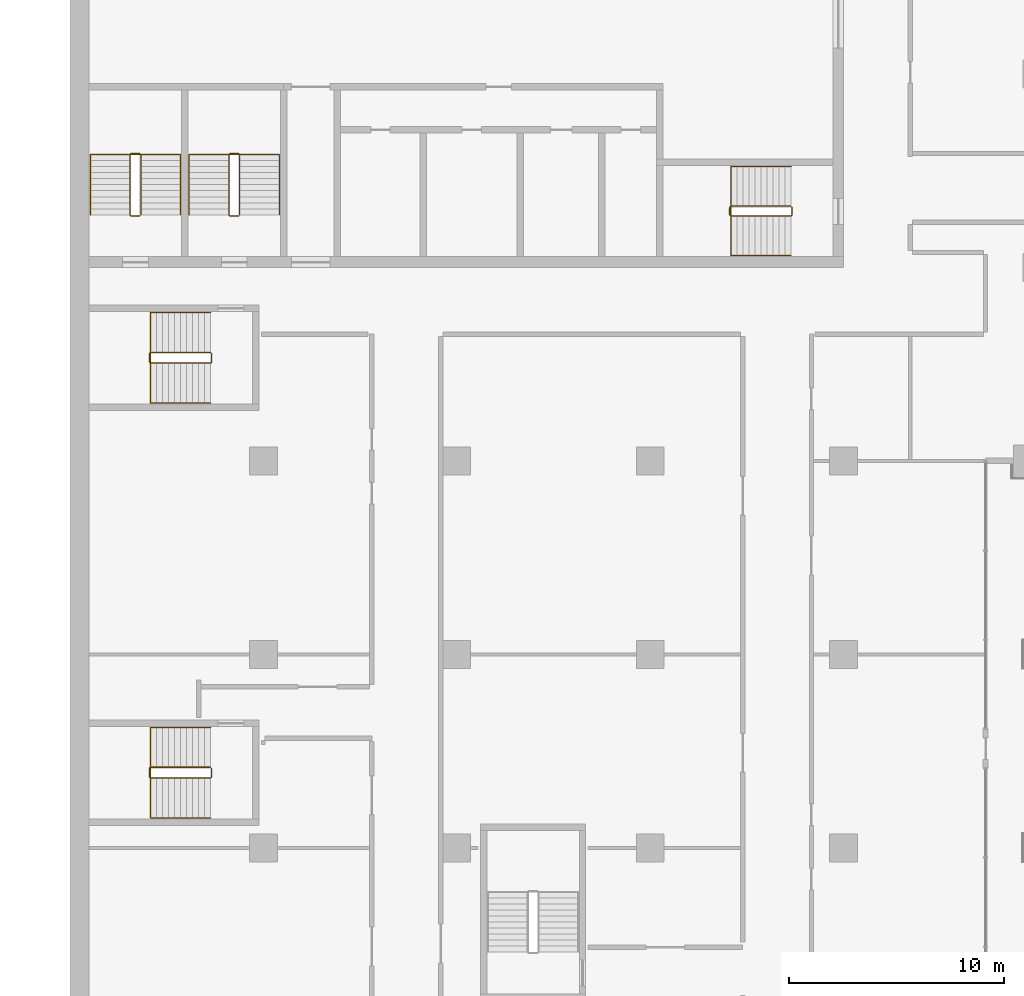
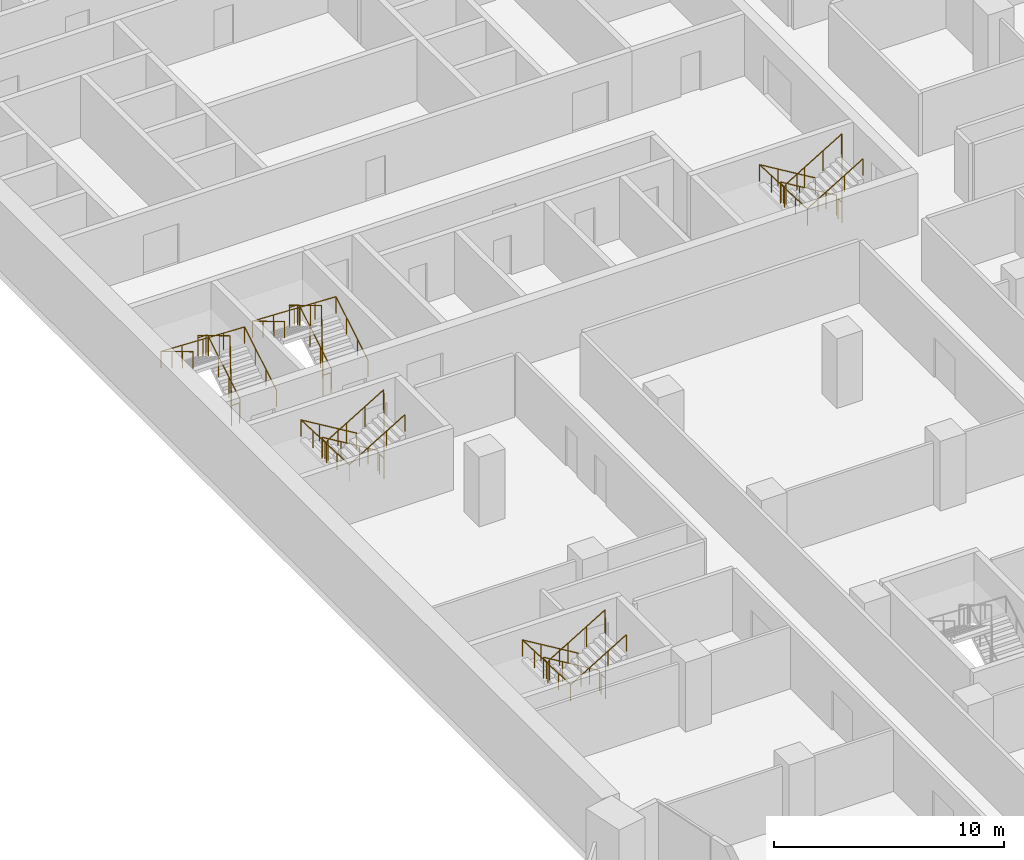
# One storey, part 21 of 23: 10 railings.
"""IFC4 building model written with IfcOpenShell, lengths in metres."""

import ifcopenshell
import ifcopenshell.guid

model = None  # the IFC model being written
_history = None  # IfcOwnerHistory: only IFC2X3 demands one
_inside = {}  # id of a spatial element -> (the spatial element, [elements in it])
_under = {}  # id of a project, library or spatial element -> (it, [spatial elements below it])
_declared = {}  # id of a project -> (the project, [libraries it declares])
_typed = {}  # id of a type object -> (the type object, [elements of that type])
_made_of = {}  # id of a material, layer set ... -> (it, [elements and type objects made of it])


def new_model(schema):
    """Start an empty IFC model of exactly this schema.

    Asked for "IFC4X3", IfcOpenShell would pick the latest addendum, in which some entities
    have other attributes; the version numbers below select the first issue.
    IFC2X3 requires an IfcOwnerHistory on every rooted entity: one is made here for all.
    """
    global model, _history
    if schema == "IFC4X3":
        model = ifcopenshell.file(schema_version=(4, 3, 0, 0))
    else:
        model = ifcopenshell.file(schema=schema)
    _inside.clear()
    _under.clear()
    _declared.clear()
    _typed.clear()
    _made_of.clear()
    _history = None
    if model.schema == "IFC2X3":
        org = make("IfcOrganization", Name="unknown")
        user = make(
            "IfcPersonAndOrganization",
            ThePerson=make("IfcPerson", FamilyName="unknown"),
            TheOrganization=org,
        )
        app = make(
            "IfcApplication",
            ApplicationDeveloper=org,
            Version="unknown",
            ApplicationFullName="unknown",
            ApplicationIdentifier="unknown",
        )
        _history = make(
            "IfcOwnerHistory",
            OwningUser=user,
            OwningApplication=app,
            ChangeAction="ADDED",
            CreationDate=0,
        )
    return model


def make(cls, **values):
    """One entity of the class cls with the attributes given. An attribute that is None is left unset."""
    return model.create_entity(
        cls, **{name: value for name, value in values.items() if value is not None}
    )


def rooted(cls, **values):
    """An entity with a GlobalId (a new one), such as an element, a storey or a relation."""
    return make(cls, GlobalId=ifcopenshell.guid.new(), OwnerHistory=_history, **values)


def si_unit(unit_type, name, prefix=None):
    """IfcSIUnit, for example si_unit("LENGTHUNIT", "METRE", prefix="MILLI")."""
    return make("IfcSIUnit", UnitType=unit_type, Prefix=prefix, Name=name)


def assignment(units):
    """IfcUnitAssignment: the units of a project."""
    return None if units is None else make("IfcUnitAssignment", Units=units)


def point(xyz):
    """IfcCartesianPoint."""
    return None if xyz is None else make("IfcCartesianPoint", Coordinates=xyz)


def direction(xyz):
    """IfcDirection."""
    return None if xyz is None else make("IfcDirection", DirectionRatios=xyz)


def frame(location, z_axis=None, x_axis=None):
    """IfcAxis2Placement3D, a coordinate frame: its origin and axes. An axis left out is left unset."""
    return make(
        "IfcAxis2Placement3D",
        Location=point(location),
        Axis=direction(z_axis),
        RefDirection=direction(x_axis),
    )


def frame_2d(location, x_axis=None):
    """IfcAxis2Placement2D, a coordinate frame in the plane: its origin and x axis."""
    return make(
        "IfcAxis2Placement2D", Location=point(location), RefDirection=direction(x_axis)
    )


def origin():
    """The frame at (0, 0, 0) with its axes left unset."""
    return frame((0.0, 0.0, 0.0))


def origin_2d():
    """The frame at (0, 0) in the plane with its x axis left unset."""
    return frame_2d((0.0, 0.0))


def place(relative_to, where):
    """IfcLocalPlacement: puts the frame where relative to a parent placement (None: the world)."""
    return make(
        "IfcLocalPlacement", PlacementRelTo=relative_to, RelativePlacement=where
    )


def context(
    kind, dimensions, precision=None, world=None, true_north=None, identifier=None
):
    """IfcGeometricRepresentationContext, for example the 3D "Model" context."""
    return make(
        "IfcGeometricRepresentationContext",
        ContextIdentifier=identifier,
        ContextType=kind,
        CoordinateSpaceDimension=dimensions,
        Precision=precision,
        WorldCoordinateSystem=world,
        TrueNorth=true_north,
    )


def subcontext(parent, identifier, kind, view, scale=None):
    """IfcGeometricRepresentationSubContext, for example "Body" below "Model"."""
    return make(
        "IfcGeometricRepresentationSubContext",
        ContextIdentifier=identifier,
        ContextType=kind,
        ParentContext=parent,
        TargetScale=scale,
        TargetView=view,
    )


def project(units=None, contexts=None):
    """IfcProject with its units and contexts."""
    return rooted(
        "IfcProject",
        Name="project",
        RepresentationContexts=contexts,
        UnitsInContext=assignment(units),
    )


def spatial(cls, under=None, at=None, **own):
    """A site, building, storey or space (cls), placed at a placement, below another one or the project."""
    s = rooted(cls, ObjectPlacement=at, **own)
    if under is not None:
        _under.setdefault(under.id(), (under, []))[1].append(s)
    return s


def profile(cls, at=None, kind="AREA", **sizes):
    """A parametric profile (cls). Its sizes go by their IFC names, for example OverallWidth=200.0."""
    return make(cls, ProfileType=kind, Position=at, **sizes)


def circle(**sizes):
    """IfcCircleProfileDef."""
    return profile("IfcCircleProfileDef", **sizes)


def extrude(swept, where, along, depth):
    """IfcExtrudedAreaSolid: the profile swept, set in the frame where, extruded along a direction by depth."""
    return make(
        "IfcExtrudedAreaSolid",
        SweptArea=swept,
        Position=where,
        ExtrudedDirection=direction(along),
        Depth=depth,
    )


def shape(context_of_items, identifier, shape_type, items):
    """IfcShapeRepresentation: the items that make up one representation, for example the "Body"."""
    return make(
        "IfcShapeRepresentation",
        ContextOfItems=context_of_items,
        RepresentationIdentifier=identifier,
        RepresentationType=shape_type,
        Items=items,
    )


def material(Name=None, Category=None):
    """IfcMaterial."""
    return make("IfcMaterial", Name=Name, Category=Category)


def made_of(thing, what):
    """Note that an element or type object is made of a material, layer set ...; save() writes the relation."""
    if what is not None:
        _made_of.setdefault(what.id(), (what, []))[1].append(thing)
    return thing


def type_object(cls, material=None, **own):
    """A type object (cls), such as IfcWallType, which elements share."""
    return made_of(rooted(cls, **own), material)


def element(
    cls,
    number,
    at=None,
    inside=None,
    cuts=None,
    type_object=None,
    material=None,
    context=None,
    identifier="Body",
    shape_type=None,
    held_by="IfcProductDefinitionShape",
    body=None,
    shapes=None,
    **own,
):
    """One element of the class cls, such as IfcWall. Its Tag is "e" and its number.

    at: its placement. inside: the storey or other place that contains it. cuts: it is an
    opening in that element (IfcRelVoidsElement). A single representation is given by context,
    identifier, shape_type and body (its items); several are given by shapes. held_by: the class
    of the entity that holds the representations. save() writes the other relations.
    """
    e = rooted(cls, Tag="e%d" % number, ObjectPlacement=at, **own)
    if body is not None:
        shapes = [shape(context, identifier, shape_type, body)]
    if shapes is not None:
        e.Representation = make(held_by, Representations=shapes)
    if inside is not None:
        _inside.setdefault(inside.id(), (inside, []))[1].append(e)
    if cuts is not None:
        rooted(
            "IfcRelVoidsElement", RelatingBuildingElement=cuts, RelatedOpeningElement=e
        )
    if type_object is not None:
        _typed.setdefault(type_object.id(), (type_object, []))[1].append(e)
    return made_of(e, material)


def aggregate(whole, parts):
    """IfcRelAggregates: a whole, such as a stair, and the parts it consists of."""
    return rooted("IfcRelAggregates", RelatingObject=whole, RelatedObjects=parts)


def save(model, path):
    """Write the relations noted so far, then the file.

    IfcRelAggregates (storeys below a building ...), IfcRelContainedInSpatialStructure (elements
    in a storey), IfcRelDefinesByType, IfcRelAssociatesMaterial and IfcRelDeclares: one each for
    every whole, place, type object, material and project.
    """
    for whole, parts in _under.values():
        aggregate(whole, parts)
    for where, things in _inside.values():
        rooted(
            "IfcRelContainedInSpatialStructure",
            RelatedElements=things,
            RelatingStructure=where,
        )
    for kind, things in _typed.values():
        rooted("IfcRelDefinesByType", RelatedObjects=things, RelatingType=kind)
    for what, things in _made_of.values():
        rooted("IfcRelAssociatesMaterial", RelatedObjects=things, RelatingMaterial=what)
    for by, libraries in _declared.values():
        rooted("IfcRelDeclares", RelatingContext=by, RelatedDefinitions=libraries)
    model.write(path)


model = new_model("IFC4")

# Units and contexts
model_context = context("Model", 3, precision=1e-05, world=origin(), true_north=direction((0.0, 1.0)))
body_context = subcontext(model_context, "Body", "Model", "MODEL_VIEW")
ifc_project = project(units=[si_unit("LENGTHUNIT", "METRE"), si_unit("AREAUNIT", "SQUARE_METRE"), si_unit("VOLUMEUNIT", "CUBIC_METRE"), si_unit("PLANEANGLEUNIT", "RADIAN"), si_unit("MASSUNIT", "GRAM", prefix="KILO")], contexts=[model_context])

# Site, building, storey
site_placement = place(None, origin())
site = spatial("IfcSite", under=ifc_project, at=site_placement, CompositionType="ELEMENT")
building_placement = place(site_placement, origin())
building = spatial("IfcBuilding", under=site, at=building_placement, Name="Hunhe Ridgeline Campus", CompositionType="ELEMENT")
storey_placement = place(building_placement, frame((0.0, 0.0, 110.699951171875)))
storey = spatial("IfcBuildingStorey", under=building, at=storey_placement, Name="L27", CompositionType="ELEMENT", Elevation=110.699951171875)

# Railings
ifc_material_1 = material(Name="Stainless steel balustrade", Category="steel")
railing_type_1 = type_object("IfcRailingType", Name="Stair guard 1100 stainless", PredefinedType="GUARDRAIL", material=ifc_material_1)
railing_1_placement = place(storey_placement, frame((33.550048828125, 65.85009765625, 0.168212890625)))
element("IfcRailing", 1, at=railing_1_placement, inside=storey, type_object=railing_type_1, Name="L27 stair S2 guard", PredefinedType="GUARDRAIL", context=body_context, shape_type="SweptSolid", body=[
    extrude(circle(Radius=0.02392578125, at=origin_2d()), frame((0.0, 0.0, 1.076171875), z_axis=(-0.857242210791, 0.0, 0.514913383045), x_axis=(0.0, -1.0, 0.0)), (0.0, 0.0, 1.0), 3.266357421875),
    extrude(circle(Radius=0.02392578125, at=origin_2d()), frame((-2.800048828125, 0.0, 2.7578125), z_axis=(-0.707106781187, -0.707106781187, 0.0), x_axis=(0.707106781187, -0.707106781187, 0.0)), (0.0, 0.0, 1.0), 0.07080078125),
    extrude(circle(Radius=0.02392578125, at=origin_2d()), frame((-2.85009765625, -0.050048828125, 2.7578125), z_axis=(0.0, -1.0, 0.0), x_axis=(1.0, 0.0, 0.0)), (0.0, 0.0, 1.0), 0.35009765625),
    extrude(circle(Radius=0.02392578125, at=origin_2d()), frame((-2.85009765625, -0.400146484375, 2.7578125), z_axis=(0.274243871929, -0.274243871929, 0.92172696468), x_axis=(0.707106781187, 0.707106781187, 0.0)), (0.0, 0.0, 1.0), 0.1826171875),
    extrude(circle(Radius=0.02392578125, at=origin_2d()), frame((-2.800048828125, -0.4501953125, 2.92626953125), z_axis=(0.857275202839, 0.0, 0.514858452973), x_axis=(0.0, 1.0, 0.0)), (0.0, 0.0, 1.0), 3.26611328125),
    extrude(circle(Radius=0.02392578125, at=origin_2d()), frame((0.0, -0.4501953125, 4.60791015625), z_axis=(0.013524414389, 0.013524414389, -0.999817073484), x_axis=(-0.707106781187, 0.707106781187, 0.0)), (0.0, 0.0, 1.0), 3.70068359375),
    extrude(circle(Radius=0.02392578125, at=origin_2d()), frame((0.050048828125, -0.400146484375, 0.90771484375), z_axis=(0.0, 1.0, 0.0), x_axis=(-1.0, 0.0, 0.0)), (0.0, 0.0, 1.0), 0.35009765625),
    extrude(circle(Radius=0.02099609375, at=origin_2d()), origin(), (0.0, 0.0, 1.0), 1.052001953125),
    extrude(circle(Radius=0.02099609375, at=origin_2d()), frame((-0.933349609375, 0.0, 0.560546875)), (0.0, 0.0, 1.0), 1.052001953125),
    extrude(circle(Radius=0.02099609375, at=origin_2d()), frame((-1.86669921875, 0.0, 1.121337890625)), (0.0, 0.0, 1.0), 1.052001953125),
    extrude(circle(Radius=0.02099609375, at=origin_2d()), frame((-2.800048828125, 0.0, 1.681884765625)), (0.0, 0.0, 1.0), 1.052001953125),
    extrude(circle(Radius=0.02099609375, at=origin_2d()), frame((-2.85009765625, -0.050048828125, 1.681884765625)), (0.0, 0.0, 1.0), 1.052001953125),
    extrude(circle(Radius=0.02099609375, at=origin_2d()), frame((-2.85009765625, -0.400146484375, 1.681884765625)), (0.0, 0.0, 1.0), 1.052001953125),
    extrude(circle(Radius=0.02099609375, at=origin_2d()), frame((-2.800048828125, -0.4501953125, 1.85009765625)), (0.0, 0.0, 1.0), 1.052001953125),
    extrude(circle(Radius=0.02099609375, at=origin_2d()), frame((-1.86669921875, -0.4501953125, 2.41064453125)), (0.0, 0.0, 1.0), 1.052001953125),
    extrude(circle(Radius=0.02099609375, at=origin_2d()), frame((-0.933349609375, -0.4501953125, 2.97119140625)), (0.0, 0.0, 1.0), 1.052001953125),
    extrude(circle(Radius=0.02099609375, at=origin_2d()), frame((0.0, -0.4501953125, 3.53173828125)), (0.0, 0.0, 1.0), 1.052001953125),
    extrude(circle(Radius=0.02099609375, at=origin_2d()), frame((0.012451171875, -0.437744140625, 2.606689453125)), (0.0, 0.0, 1.0), 1.052001953125),
    extrude(circle(Radius=0.02099609375, at=origin_2d()), frame((0.02490234375, -0.42529296875, 1.681640625)), (0.0, 0.0, 1.0), 1.052001953125),
    extrude(circle(Radius=0.02099609375, at=origin_2d()), frame((0.03759765625, -0.41259765625, 0.7568359375)), (0.0, 0.0, 1.0), 1.052001953125),
    extrude(circle(Radius=0.02099609375, at=origin_2d()), frame((0.050048828125, -0.400146484375, -0.168212890625)), (0.0, 0.0, 1.0), 1.052001953125),
    extrude(circle(Radius=0.02099609375, at=origin_2d()), frame((0.050048828125, -0.050048828125, -0.168212890625)), (0.0, 0.0, 1.0), 1.052001953125),
])
railing_2_placement = place(storey_placement, frame((3.300048828125, 65.449951171875, 0.168212890625)))
element("IfcRailing", 2, at=railing_2_placement, inside=storey, type_object=railing_type_1, Name="L27 stair S3 guard", PredefinedType="GUARDRAIL", context=body_context, shape_type="SweptSolid", body=[
    extrude(circle(Radius=0.02392578125, at=origin_2d()), frame((0.0, 0.0, 1.076171875), z_axis=(0.0, 0.857242210791, 0.514913383045), x_axis=(-1.0, 0.0, 0.0)), (0.0, 0.0, 1.0), 3.266357421875),
    extrude(circle(Radius=0.02392578125, at=origin_2d()), frame((0.0, 2.800048828125, 2.7578125), z_axis=(-0.707106781187, 0.707106781187, 0.0), x_axis=(-0.707106781187, -0.707106781187, 0.0)), (0.0, 0.0, 1.0), 0.07080078125),
    extrude(circle(Radius=0.02392578125, at=origin_2d()), frame((-0.050048828125, 2.85009765625, 2.7578125), z_axis=(-1.0, 0.0, 0.0), x_axis=(0.0, -1.0, 0.0)), (0.0, 0.0, 1.0), 0.39990234375),
    extrude(circle(Radius=0.02392578125, at=origin_2d()), frame((-0.449951171875, 2.85009765625, 2.7578125), z_axis=(-0.274243871929, -0.274243871929, 0.92172696468), x_axis=(0.707106781187, -0.707106781187, 0.0)), (0.0, 0.0, 1.0), 0.1826171875),
    extrude(circle(Radius=0.02392578125, at=origin_2d()), frame((-0.5, 2.800048828125, 2.92626953125), z_axis=(0.0, -0.857275202839, 0.514858452973), x_axis=(1.0, 0.0, 0.0)), (0.0, 0.0, 1.0), 3.26611328125),
    extrude(circle(Radius=0.02392578125, at=origin_2d()), frame((-0.5, 0.0, 4.60791015625), z_axis=(0.013524414389, -0.013524414389, -0.999817073484), x_axis=(0.707106781187, 0.707106781187, 0.0)), (0.0, 0.0, 1.0), 3.70068359375),
    extrude(circle(Radius=0.02392578125, at=origin_2d()), frame((-0.449951171875, -0.050048828125, 0.90771484375), z_axis=(1.0, 0.0, 0.0), x_axis=(0.0, 1.0, 0.0)), (0.0, 0.0, 1.0), 0.39990234375),
    extrude(circle(Radius=0.02099609375, at=origin_2d()), origin(), (0.0, 0.0, 1.0), 1.052001953125),
    extrude(circle(Radius=0.02099609375, at=origin_2d()), frame((0.0, 0.933349609375, 0.560546875)), (0.0, 0.0, 1.0), 1.052001953125),
    extrude(circle(Radius=0.02099609375, at=origin_2d()), frame((0.0, 1.86669921875, 1.121337890625)), (0.0, 0.0, 1.0), 1.052001953125),
    extrude(circle(Radius=0.02099609375, at=origin_2d()), frame((0.0, 2.800048828125, 1.681884765625)), (0.0, 0.0, 1.0), 1.052001953125),
    extrude(circle(Radius=0.02099609375, at=origin_2d()), frame((-0.050048828125, 2.85009765625, 1.681884765625)), (0.0, 0.0, 1.0), 1.052001953125),
    extrude(circle(Radius=0.02099609375, at=origin_2d()), frame((-0.449951171875, 2.85009765625, 1.681884765625)), (0.0, 0.0, 1.0), 1.052001953125),
    extrude(circle(Radius=0.02099609375, at=origin_2d()), frame((-0.5, 2.800048828125, 1.85009765625)), (0.0, 0.0, 1.0), 1.052001953125),
    extrude(circle(Radius=0.02099609375, at=origin_2d()), frame((-0.5, 1.86669921875, 2.41064453125)), (0.0, 0.0, 1.0), 1.052001953125),
    extrude(circle(Radius=0.02099609375, at=origin_2d()), frame((-0.5, 0.933349609375, 2.97119140625)), (0.0, 0.0, 1.0), 1.052001953125),
    extrude(circle(Radius=0.02099609375, at=origin_2d()), frame((-0.5, 0.0, 3.53173828125)), (0.0, 0.0, 1.0), 1.052001953125),
    extrude(circle(Radius=0.02099609375, at=origin_2d()), frame((-0.487548828125, -0.012451171875, 2.606689453125)), (0.0, 0.0, 1.0), 1.052001953125),
    extrude(circle(Radius=0.02099609375, at=origin_2d()), frame((-0.47509765625, -0.02490234375, 1.681640625)), (0.0, 0.0, 1.0), 1.052001953125),
    extrude(circle(Radius=0.02099609375, at=origin_2d()), frame((-0.46240234375, -0.03759765625, 0.7568359375)), (0.0, 0.0, 1.0), 1.052001953125),
    extrude(circle(Radius=0.02099609375, at=origin_2d()), frame((-0.449951171875, -0.050048828125, -0.168212890625)), (0.0, 0.0, 1.0), 1.052001953125),
    extrude(circle(Radius=0.02099609375, at=origin_2d()), frame((-0.050048828125, -0.050048828125, -0.168212890625)), (0.0, 0.0, 1.0), 1.052001953125),
])
railing_3_placement = place(storey_placement, frame((7.89990234375, 65.449951171875, 0.168212890625)))
element("IfcRailing", 3, at=railing_3_placement, inside=storey, type_object=railing_type_1, Name="L27 stair S4 guard", PredefinedType="GUARDRAIL", context=body_context, shape_type="SweptSolid", body=[
    extrude(circle(Radius=0.02392578125, at=origin_2d()), frame((0.0, 0.0, 1.076171875), z_axis=(0.0, 0.857242210791, 0.514913383045), x_axis=(-1.0, 0.0, 0.0)), (0.0, 0.0, 1.0), 3.266357421875),
    extrude(circle(Radius=0.02392578125, at=origin_2d()), frame((0.0, 2.800048828125, 2.7578125), z_axis=(-0.705375805398, 0.708833529934, 0.0), x_axis=(-0.708833529934, -0.705375805398, 0.0)), (0.0, 0.0, 1.0), 0.070556640625),
    extrude(circle(Radius=0.02392578125, at=origin_2d()), frame((-0.0498046875, 2.85009765625, 2.7578125), z_axis=(-1.0, 0.0, 0.0), x_axis=(0.0, -1.0, 0.0)), (0.0, 0.0, 1.0), 0.400146484375),
    extrude(circle(Radius=0.02392578125, at=origin_2d()), frame((-0.449951171875, 2.85009765625, 2.7578125), z_axis=(-0.274243871929, -0.274243871929, 0.92172696468), x_axis=(0.707106781187, -0.707106781187, 0.0)), (0.0, 0.0, 1.0), 0.1826171875),
    extrude(circle(Radius=0.02392578125, at=origin_2d()), frame((-0.5, 2.800048828125, 2.92626953125), z_axis=(0.0, -0.857275202839, 0.514858452973), x_axis=(1.0, 0.0, 0.0)), (0.0, 0.0, 1.0), 3.26611328125),
    extrude(circle(Radius=0.02392578125, at=origin_2d()), frame((-0.5, 0.0, 4.60791015625), z_axis=(0.013524414389, -0.013524414389, -0.999817073484), x_axis=(0.707106781187, 0.707106781187, 0.0)), (0.0, 0.0, 1.0), 3.70068359375),
    extrude(circle(Radius=0.02392578125, at=origin_2d()), frame((-0.449951171875, -0.050048828125, 0.90771484375), z_axis=(1.0, 0.0, 0.0), x_axis=(0.0, 1.0, 0.0)), (0.0, 0.0, 1.0), 0.400146484375),
    extrude(circle(Radius=0.02099609375, at=origin_2d()), origin(), (0.0, 0.0, 1.0), 1.052001953125),
    extrude(circle(Radius=0.02099609375, at=origin_2d()), frame((0.0, 0.933349609375, 0.560546875)), (0.0, 0.0, 1.0), 1.052001953125),
    extrude(circle(Radius=0.02099609375, at=origin_2d()), frame((0.0, 1.86669921875, 1.121337890625)), (0.0, 0.0, 1.0), 1.052001953125),
    extrude(circle(Radius=0.02099609375, at=origin_2d()), frame((0.0, 2.800048828125, 1.681884765625)), (0.0, 0.0, 1.0), 1.052001953125),
    extrude(circle(Radius=0.02099609375, at=origin_2d()), frame((-0.0498046875, 2.85009765625, 1.681884765625)), (0.0, 0.0, 1.0), 1.052001953125),
    extrude(circle(Radius=0.02099609375, at=origin_2d()), frame((-0.449951171875, 2.85009765625, 1.681884765625)), (0.0, 0.0, 1.0), 1.052001953125),
    extrude(circle(Radius=0.02099609375, at=origin_2d()), frame((-0.5, 2.800048828125, 1.85009765625)), (0.0, 0.0, 1.0), 1.052001953125),
    extrude(circle(Radius=0.02099609375, at=origin_2d()), frame((-0.5, 1.86669921875, 2.41064453125)), (0.0, 0.0, 1.0), 1.052001953125),
    extrude(circle(Radius=0.02099609375, at=origin_2d()), frame((-0.5, 0.933349609375, 2.97119140625)), (0.0, 0.0, 1.0), 1.052001953125),
    extrude(circle(Radius=0.02099609375, at=origin_2d()), frame((-0.5, 0.0, 3.53173828125)), (0.0, 0.0, 1.0), 1.052001953125),
    extrude(circle(Radius=0.02099609375, at=origin_2d()), frame((-0.487548828125, -0.012451171875, 2.606689453125)), (0.0, 0.0, 1.0), 1.052001953125),
    extrude(circle(Radius=0.02099609375, at=origin_2d()), frame((-0.47509765625, -0.02490234375, 1.681640625)), (0.0, 0.0, 1.0), 1.052001953125),
    extrude(circle(Radius=0.02099609375, at=origin_2d()), frame((-0.46240234375, -0.03759765625, 0.7568359375)), (0.0, 0.0, 1.0), 1.052001953125),
    extrude(circle(Radius=0.02099609375, at=origin_2d()), frame((-0.449951171875, -0.050048828125, -0.168212890625)), (0.0, 0.0, 1.0), 1.052001953125),
    extrude(circle(Radius=0.02099609375, at=origin_2d()), frame((-0.0498046875, -0.050048828125, -0.168212890625)), (0.0, 0.0, 1.0), 1.052001953125),
])
railing_4_placement = place(storey_placement, frame((6.550048828125, 39.75, 0.168212890625)))
element("IfcRailing", 4, at=railing_4_placement, inside=storey, type_object=railing_type_1, Name="L27 stair W1 guard", PredefinedType="GUARDRAIL", context=body_context, shape_type="SweptSolid", body=[
    extrude(circle(Radius=0.02392578125, at=origin_2d()), frame((0.0, 0.0, 1.076171875), z_axis=(-0.857242210791, 0.0, 0.514913383045), x_axis=(0.0, -1.0, 0.0)), (0.0, 0.0, 1.0), 3.266357421875),
    extrude(circle(Radius=0.02392578125, at=origin_2d()), frame((-2.800048828125, 0.0, 2.7578125), z_axis=(-0.707106781187, -0.707106781187, 0.0), x_axis=(0.707106781187, -0.707106781187, 0.0)), (0.0, 0.0, 1.0), 0.07080078125),
    extrude(circle(Radius=0.02392578125, at=origin_2d()), frame((-2.85009765625, -0.050048828125, 2.7578125), z_axis=(0.0, -1.0, 0.0), x_axis=(1.0, 0.0, 0.0)), (0.0, 0.0, 1.0), 0.39990234375),
    extrude(circle(Radius=0.02392578125, at=origin_2d()), frame((-2.85009765625, -0.449951171875, 2.7578125), z_axis=(0.274243871929, -0.274243871929, 0.92172696468), x_axis=(0.707106781187, 0.707106781187, 0.0)), (0.0, 0.0, 1.0), 0.1826171875),
    extrude(circle(Radius=0.02392578125, at=origin_2d()), frame((-2.800048828125, -0.5, 2.92626953125), z_axis=(0.857275202839, 0.0, 0.514858452973), x_axis=(0.0, 1.0, 0.0)), (0.0, 0.0, 1.0), 3.26611328125),
    extrude(circle(Radius=0.02392578125, at=origin_2d()), frame((0.0, -0.5, 4.60791015625), z_axis=(0.013524414389, 0.013524414389, -0.999817073484), x_axis=(-0.707106781187, 0.707106781187, 0.0)), (0.0, 0.0, 1.0), 3.70068359375),
    extrude(circle(Radius=0.02392578125, at=origin_2d()), frame((0.050048828125, -0.449951171875, 0.90771484375), z_axis=(0.0, 1.0, 0.0), x_axis=(-1.0, 0.0, 0.0)), (0.0, 0.0, 1.0), 0.39990234375),
    extrude(circle(Radius=0.02099609375, at=origin_2d()), origin(), (0.0, 0.0, 1.0), 1.052001953125),
    extrude(circle(Radius=0.02099609375, at=origin_2d()), frame((-0.933349609375, 0.0, 0.560546875)), (0.0, 0.0, 1.0), 1.052001953125),
    extrude(circle(Radius=0.02099609375, at=origin_2d()), frame((-1.86669921875, 0.0, 1.121337890625)), (0.0, 0.0, 1.0), 1.052001953125),
    extrude(circle(Radius=0.02099609375, at=origin_2d()), frame((-2.800048828125, 0.0, 1.681884765625)), (0.0, 0.0, 1.0), 1.052001953125),
    extrude(circle(Radius=0.02099609375, at=origin_2d()), frame((-2.85009765625, -0.050048828125, 1.681884765625)), (0.0, 0.0, 1.0), 1.052001953125),
    extrude(circle(Radius=0.02099609375, at=origin_2d()), frame((-2.85009765625, -0.449951171875, 1.681884765625)), (0.0, 0.0, 1.0), 1.052001953125),
    extrude(circle(Radius=0.02099609375, at=origin_2d()), frame((-2.800048828125, -0.5, 1.85009765625)), (0.0, 0.0, 1.0), 1.052001953125),
    extrude(circle(Radius=0.02099609375, at=origin_2d()), frame((-1.86669921875, -0.5, 2.41064453125)), (0.0, 0.0, 1.0), 1.052001953125),
    extrude(circle(Radius=0.02099609375, at=origin_2d()), frame((-0.933349609375, -0.5, 2.97119140625)), (0.0, 0.0, 1.0), 1.052001953125),
    extrude(circle(Radius=0.02099609375, at=origin_2d()), frame((0.0, -0.5, 3.53173828125)), (0.0, 0.0, 1.0), 1.052001953125),
    extrude(circle(Radius=0.02099609375, at=origin_2d()), frame((0.012451171875, -0.487548828125, 2.606689453125)), (0.0, 0.0, 1.0), 1.052001953125),
    extrude(circle(Radius=0.02099609375, at=origin_2d()), frame((0.02490234375, -0.47509765625, 1.681640625)), (0.0, 0.0, 1.0), 1.052001953125),
    extrude(circle(Radius=0.02099609375, at=origin_2d()), frame((0.03759765625, -0.46240234375, 0.7568359375)), (0.0, 0.0, 1.0), 1.052001953125),
    extrude(circle(Radius=0.02099609375, at=origin_2d()), frame((0.050048828125, -0.449951171875, -0.168212890625)), (0.0, 0.0, 1.0), 1.052001953125),
    extrude(circle(Radius=0.02099609375, at=origin_2d()), frame((0.050048828125, -0.050048828125, -0.168212890625)), (0.0, 0.0, 1.0), 1.052001953125),
])
railing_5_placement = place(storey_placement, frame((6.550048828125, 59.050048828125, 0.168212890625)))
element("IfcRailing", 5, at=railing_5_placement, inside=storey, type_object=railing_type_1, Name="L27 stair W2 guard", PredefinedType="GUARDRAIL", context=body_context, shape_type="SweptSolid", body=[
    extrude(circle(Radius=0.02392578125, at=origin_2d()), frame((0.0, 0.0, 1.076171875), z_axis=(-0.857242210791, 0.0, 0.514913383045), x_axis=(0.0, -1.0, 0.0)), (0.0, 0.0, 1.0), 3.266357421875),
    extrude(circle(Radius=0.02392578125, at=origin_2d()), frame((-2.800048828125, 0.0, 2.7578125), z_axis=(-0.707106781187, -0.707106781187, 0.0), x_axis=(0.707106781187, -0.707106781187, 0.0)), (0.0, 0.0, 1.0), 0.07080078125),
    extrude(circle(Radius=0.02392578125, at=origin_2d()), frame((-2.85009765625, -0.050048828125, 2.7578125), z_axis=(0.0, -1.0, 0.0), x_axis=(1.0, 0.0, 0.0)), (0.0, 0.0, 1.0), 0.39990234375),
    extrude(circle(Radius=0.02392578125, at=origin_2d()), frame((-2.85009765625, -0.449951171875, 2.7578125), z_axis=(0.274243871929, -0.274243871929, 0.92172696468), x_axis=(0.707106781187, 0.707106781187, 0.0)), (0.0, 0.0, 1.0), 0.1826171875),
    extrude(circle(Radius=0.02392578125, at=origin_2d()), frame((-2.800048828125, -0.5, 2.92626953125), z_axis=(0.857275202839, 0.0, 0.514858452973), x_axis=(0.0, 1.0, 0.0)), (0.0, 0.0, 1.0), 3.26611328125),
    extrude(circle(Radius=0.02392578125, at=origin_2d()), frame((0.0, -0.5, 4.60791015625), z_axis=(0.013524414389, 0.013524414389, -0.999817073484), x_axis=(-0.707106781187, 0.707106781187, 0.0)), (0.0, 0.0, 1.0), 3.70068359375),
    extrude(circle(Radius=0.02392578125, at=origin_2d()), frame((0.050048828125, -0.449951171875, 0.90771484375), z_axis=(0.0, 1.0, 0.0), x_axis=(-1.0, 0.0, 0.0)), (0.0, 0.0, 1.0), 0.39990234375),
    extrude(circle(Radius=0.02099609375, at=origin_2d()), origin(), (0.0, 0.0, 1.0), 1.052001953125),
    extrude(circle(Radius=0.02099609375, at=origin_2d()), frame((-0.933349609375, 0.0, 0.560546875)), (0.0, 0.0, 1.0), 1.052001953125),
    extrude(circle(Radius=0.02099609375, at=origin_2d()), frame((-1.86669921875, 0.0, 1.121337890625)), (0.0, 0.0, 1.0), 1.052001953125),
    extrude(circle(Radius=0.02099609375, at=origin_2d()), frame((-2.800048828125, 0.0, 1.681884765625)), (0.0, 0.0, 1.0), 1.052001953125),
    extrude(circle(Radius=0.02099609375, at=origin_2d()), frame((-2.85009765625, -0.050048828125, 1.681884765625)), (0.0, 0.0, 1.0), 1.052001953125),
    extrude(circle(Radius=0.02099609375, at=origin_2d()), frame((-2.85009765625, -0.449951171875, 1.681884765625)), (0.0, 0.0, 1.0), 1.052001953125),
    extrude(circle(Radius=0.02099609375, at=origin_2d()), frame((-2.800048828125, -0.5, 1.85009765625)), (0.0, 0.0, 1.0), 1.052001953125),
    extrude(circle(Radius=0.02099609375, at=origin_2d()), frame((-1.86669921875, -0.5, 2.41064453125)), (0.0, 0.0, 1.0), 1.052001953125),
    extrude(circle(Radius=0.02099609375, at=origin_2d()), frame((-0.933349609375, -0.5, 2.97119140625)), (0.0, 0.0, 1.0), 1.052001953125),
    extrude(circle(Radius=0.02099609375, at=origin_2d()), frame((0.0, -0.5, 3.53173828125)), (0.0, 0.0, 1.0), 1.052001953125),
    extrude(circle(Radius=0.02099609375, at=origin_2d()), frame((0.012451171875, -0.487548828125, 2.606689453125)), (0.0, 0.0, 1.0), 1.052001953125),
    extrude(circle(Radius=0.02099609375, at=origin_2d()), frame((0.02490234375, -0.47509765625, 1.681640625)), (0.0, 0.0, 1.0), 1.052001953125),
    extrude(circle(Radius=0.02099609375, at=origin_2d()), frame((0.03759765625, -0.46240234375, 0.7568359375)), (0.0, 0.0, 1.0), 1.052001953125),
    extrude(circle(Radius=0.02099609375, at=origin_2d()), frame((0.050048828125, -0.449951171875, -0.168212890625)), (0.0, 0.0, 1.0), 1.052001953125),
    extrude(circle(Radius=0.02099609375, at=origin_2d()), frame((0.050048828125, -0.050048828125, -0.168212890625)), (0.0, 0.0, 1.0), 1.052001953125),
])
ifc_material_2 = material(Name="Stainless steel handrail", Category="steel")
railing_type_2 = type_object("IfcRailingType", Name="Stair handrail 900 stainless", PredefinedType="HANDRAIL", material=ifc_material_2)
railing_6_placement = place(storey_placement, frame((33.550048828125, 67.699951171875, 0.168212890625)))
element("IfcRailing", 6, at=railing_6_placement, inside=storey, type_object=railing_type_2, Name="L27 stair S2 handrail", PredefinedType="HANDRAIL", context=body_context, shape_type="SweptSolid", body=[
    extrude(circle(Radius=0.02392578125, at=origin_2d()), frame((0.0, 0.0, 0.8759765625), z_axis=(-0.857242210791, 0.0, 0.514913383045), x_axis=(0.0, -1.0, 0.0)), (0.0, 0.0, 1.0), 3.266357421875),
    extrude(circle(Radius=0.02392578125, at=origin_2d()), frame((-2.800048828125, 0.0, 2.5576171875), z_axis=(0.0, -0.99917950104, 0.040500922239), x_axis=(1.0, 0.0, 0.0)), (0.0, 0.0, 1.0), 4.1533203125),
    extrude(circle(Radius=0.02392578125, at=origin_2d()), frame((-2.800048828125, -4.14990234375, 2.72607421875), z_axis=(0.857275202839, 0.0, 0.514858452973), x_axis=(0.0, 1.0, 0.0)), (0.0, 0.0, 1.0), 3.26611328125),
    extrude(circle(Radius=0.02099609375, at=origin_2d()), origin(), (0.0, 0.0, 1.0), 0.851806640625),
    extrude(circle(Radius=0.02099609375, at=origin_2d()), frame((-0.933349609375, 0.0, 0.560546875)), (0.0, 0.0, 1.0), 0.851806640625),
    extrude(circle(Radius=0.02099609375, at=origin_2d()), frame((-1.86669921875, 0.0, 1.121337890625)), (0.0, 0.0, 1.0), 0.851806640625),
    extrude(circle(Radius=0.02099609375, at=origin_2d()), frame((-2.800048828125, 0.0, 1.681884765625)), (0.0, 0.0, 1.0), 0.851806640625),
    extrude(circle(Radius=0.02099609375, at=origin_2d()), frame((-2.800048828125, -1.03759765625, 1.723876953125)), (0.0, 0.0, 1.0), 0.851806640625),
    extrude(circle(Radius=0.02099609375, at=origin_2d()), frame((-2.800048828125, -2.074951171875, 1.76611328125)), (0.0, 0.0, 1.0), 0.851806640625),
    extrude(circle(Radius=0.02099609375, at=origin_2d()), frame((-2.800048828125, -3.1123046875, 1.80810546875)), (0.0, 0.0, 1.0), 0.851806640625),
    extrude(circle(Radius=0.02099609375, at=origin_2d()), frame((-2.800048828125, -4.14990234375, 1.85009765625)), (0.0, 0.0, 1.0), 0.851806640625),
    extrude(circle(Radius=0.02099609375, at=origin_2d()), frame((-1.86669921875, -4.14990234375, 2.41064453125)), (0.0, 0.0, 1.0), 0.851806640625),
    extrude(circle(Radius=0.02099609375, at=origin_2d()), frame((-0.933349609375, -4.14990234375, 2.97119140625)), (0.0, 0.0, 1.0), 0.851806640625),
    extrude(circle(Radius=0.02099609375, at=origin_2d()), frame((0.0, -4.14990234375, 3.53173828125)), (0.0, 0.0, 1.0), 0.851806640625),
])
railing_7_placement = place(storey_placement, frame((5.14990234375, 65.449951171875, 0.168212890625)))
element("IfcRailing", 7, at=railing_7_placement, inside=storey, type_object=railing_type_2, Name="L27 stair S3 handrail", PredefinedType="HANDRAIL", context=body_context, shape_type="SweptSolid", body=[
    extrude(circle(Radius=0.02392578125, at=origin_2d()), frame((0.0, 0.0, 0.8759765625), z_axis=(0.0, 0.857242210791, 0.514913383045), x_axis=(-1.0, 0.0, 0.0)), (0.0, 0.0, 1.0), 3.266357421875),
    extrude(circle(Radius=0.02392578125, at=origin_2d()), frame((0.0, 2.800048828125, 2.5576171875), z_axis=(-0.999198916169, 0.0, 0.040019069537), x_axis=(0.0, -1.0, 0.0)), (0.0, 0.0, 1.0), 4.203369140625),
    extrude(circle(Radius=0.02392578125, at=origin_2d()), frame((-4.199951171875, 2.800048828125, 2.72607421875), z_axis=(0.0, -0.857275202839, 0.514858452973), x_axis=(1.0, 0.0, 0.0)), (0.0, 0.0, 1.0), 3.26611328125),
    extrude(circle(Radius=0.02099609375, at=origin_2d()), origin(), (0.0, 0.0, 1.0), 0.851806640625),
    extrude(circle(Radius=0.02099609375, at=origin_2d()), frame((0.0, 0.933349609375, 0.560546875)), (0.0, 0.0, 1.0), 0.851806640625),
    extrude(circle(Radius=0.02099609375, at=origin_2d()), frame((0.0, 1.86669921875, 1.121337890625)), (0.0, 0.0, 1.0), 0.851806640625),
    extrude(circle(Radius=0.02099609375, at=origin_2d()), frame((0.0, 2.800048828125, 1.681884765625)), (0.0, 0.0, 1.0), 0.851806640625),
    extrude(circle(Radius=0.02099609375, at=origin_2d()), frame((-1.050048828125, 2.800048828125, 1.723876953125)), (0.0, 0.0, 1.0), 0.851806640625),
    extrude(circle(Radius=0.02099609375, at=origin_2d()), frame((-2.10009765625, 2.800048828125, 1.76611328125)), (0.0, 0.0, 1.0), 0.851806640625),
    extrude(circle(Radius=0.02099609375, at=origin_2d()), frame((-3.14990234375, 2.800048828125, 1.80810546875)), (0.0, 0.0, 1.0), 0.851806640625),
    extrude(circle(Radius=0.02099609375, at=origin_2d()), frame((-4.199951171875, 2.800048828125, 1.85009765625)), (0.0, 0.0, 1.0), 0.851806640625),
    extrude(circle(Radius=0.02099609375, at=origin_2d()), frame((-4.199951171875, 1.86669921875, 2.41064453125)), (0.0, 0.0, 1.0), 0.851806640625),
    extrude(circle(Radius=0.02099609375, at=origin_2d()), frame((-4.199951171875, 0.933349609375, 2.97119140625)), (0.0, 0.0, 1.0), 0.851806640625),
    extrude(circle(Radius=0.02099609375, at=origin_2d()), frame((-4.199951171875, 0.0, 3.53173828125)), (0.0, 0.0, 1.0), 0.851806640625),
])
railing_8_placement = place(storey_placement, frame((9.75, 65.449951171875, 0.168212890625)))
element("IfcRailing", 8, at=railing_8_placement, inside=storey, type_object=railing_type_2, Name="L27 stair S4 handrail", PredefinedType="HANDRAIL", context=body_context, shape_type="SweptSolid", body=[
    extrude(circle(Radius=0.02392578125, at=origin_2d()), frame((0.0, 0.0, 0.8759765625), z_axis=(0.0, 0.857242210791, 0.514913383045), x_axis=(-1.0, 0.0, 0.0)), (0.0, 0.0, 1.0), 3.266357421875),
    extrude(circle(Radius=0.02392578125, at=origin_2d()), frame((0.0, 2.800048828125, 2.5576171875), z_axis=(-0.999198916169, 0.0, 0.040019069537), x_axis=(0.0, -1.0, 0.0)), (0.0, 0.0, 1.0), 4.203369140625),
    extrude(circle(Radius=0.02392578125, at=origin_2d()), frame((-4.199951171875, 2.800048828125, 2.72607421875), z_axis=(0.0, -0.857275202839, 0.514858452973), x_axis=(1.0, 0.0, 0.0)), (0.0, 0.0, 1.0), 3.26611328125),
    extrude(circle(Radius=0.02099609375, at=origin_2d()), origin(), (0.0, 0.0, 1.0), 0.851806640625),
    extrude(circle(Radius=0.02099609375, at=origin_2d()), frame((0.0, 0.933349609375, 0.560546875)), (0.0, 0.0, 1.0), 0.851806640625),
    extrude(circle(Radius=0.02099609375, at=origin_2d()), frame((0.0, 1.86669921875, 1.121337890625)), (0.0, 0.0, 1.0), 0.851806640625),
    extrude(circle(Radius=0.02099609375, at=origin_2d()), frame((0.0, 2.800048828125, 1.681884765625)), (0.0, 0.0, 1.0), 0.851806640625),
    extrude(circle(Radius=0.02099609375, at=origin_2d()), frame((-1.050048828125, 2.800048828125, 1.723876953125)), (0.0, 0.0, 1.0), 0.851806640625),
    extrude(circle(Radius=0.02099609375, at=origin_2d()), frame((-2.10009765625, 2.800048828125, 1.76611328125)), (0.0, 0.0, 1.0), 0.851806640625),
    extrude(circle(Radius=0.02099609375, at=origin_2d()), frame((-3.14990234375, 2.800048828125, 1.80810546875)), (0.0, 0.0, 1.0), 0.851806640625),
    extrude(circle(Radius=0.02099609375, at=origin_2d()), frame((-4.199951171875, 2.800048828125, 1.85009765625)), (0.0, 0.0, 1.0), 0.851806640625),
    extrude(circle(Radius=0.02099609375, at=origin_2d()), frame((-4.199951171875, 1.86669921875, 2.41064453125)), (0.0, 0.0, 1.0), 0.851806640625),
    extrude(circle(Radius=0.02099609375, at=origin_2d()), frame((-4.199951171875, 0.933349609375, 2.97119140625)), (0.0, 0.0, 1.0), 0.851806640625),
    extrude(circle(Radius=0.02099609375, at=origin_2d()), frame((-4.199951171875, 0.0, 3.53173828125)), (0.0, 0.0, 1.0), 0.851806640625),
])
railing_9_placement = place(storey_placement, frame((6.550048828125, 41.60009765625, 0.168212890625)))
element("IfcRailing", 9, at=railing_9_placement, inside=storey, type_object=railing_type_2, Name="L27 stair W1 handrail", PredefinedType="HANDRAIL", context=body_context, shape_type="SweptSolid", body=[
    extrude(circle(Radius=0.02392578125, at=origin_2d()), frame((0.0, 0.0, 0.8759765625), z_axis=(-0.857242210791, 0.0, 0.514913383045), x_axis=(0.0, -1.0, 0.0)), (0.0, 0.0, 1.0), 3.266357421875),
    extrude(circle(Radius=0.02392578125, at=origin_2d()), frame((-2.800048828125, 0.0, 2.5576171875), z_axis=(0.0, -0.999199009182, 0.040016747113), x_axis=(1.0, 0.0, 0.0)), (0.0, 0.0, 1.0), 4.20361328125),
    extrude(circle(Radius=0.02392578125, at=origin_2d()), frame((-2.800048828125, -4.2001953125, 2.72607421875), z_axis=(0.857275202839, 0.0, 0.514858452973), x_axis=(0.0, 1.0, 0.0)), (0.0, 0.0, 1.0), 3.26611328125),
    extrude(circle(Radius=0.02099609375, at=origin_2d()), origin(), (0.0, 0.0, 1.0), 0.851806640625),
    extrude(circle(Radius=0.02099609375, at=origin_2d()), frame((-0.933349609375, 0.0, 0.560546875)), (0.0, 0.0, 1.0), 0.851806640625),
    extrude(circle(Radius=0.02099609375, at=origin_2d()), frame((-1.86669921875, 0.0, 1.121337890625)), (0.0, 0.0, 1.0), 0.851806640625),
    extrude(circle(Radius=0.02099609375, at=origin_2d()), frame((-2.800048828125, 0.0, 1.681884765625)), (0.0, 0.0, 1.0), 0.851806640625),
    extrude(circle(Radius=0.02099609375, at=origin_2d()), frame((-2.800048828125, -1.050048828125, 1.723876953125)), (0.0, 0.0, 1.0), 0.851806640625),
    extrude(circle(Radius=0.02099609375, at=origin_2d()), frame((-2.800048828125, -2.10009765625, 1.76611328125)), (0.0, 0.0, 1.0), 0.851806640625),
    extrude(circle(Radius=0.02099609375, at=origin_2d()), frame((-2.800048828125, -3.150146484375, 1.80810546875)), (0.0, 0.0, 1.0), 0.851806640625),
    extrude(circle(Radius=0.02099609375, at=origin_2d()), frame((-2.800048828125, -4.2001953125, 1.85009765625)), (0.0, 0.0, 1.0), 0.851806640625),
    extrude(circle(Radius=0.02099609375, at=origin_2d()), frame((-1.86669921875, -4.2001953125, 2.41064453125)), (0.0, 0.0, 1.0), 0.851806640625),
    extrude(circle(Radius=0.02099609375, at=origin_2d()), frame((-0.933349609375, -4.2001953125, 2.97119140625)), (0.0, 0.0, 1.0), 0.851806640625),
    extrude(circle(Radius=0.02099609375, at=origin_2d()), frame((0.0, -4.2001953125, 3.53173828125)), (0.0, 0.0, 1.0), 0.851806640625),
])
railing_10_placement = place(storey_placement, frame((6.550048828125, 60.89990234375, 0.168212890625)))
element("IfcRailing", 10, at=railing_10_placement, inside=storey, type_object=railing_type_2, Name="L27 stair W2 handrail", PredefinedType="HANDRAIL", context=body_context, shape_type="SweptSolid", body=[
    extrude(circle(Radius=0.02392578125, at=origin_2d()), frame((0.0, 0.0, 0.8759765625), z_axis=(-0.857242210791, 0.0, 0.514913383045), x_axis=(0.0, -1.0, 0.0)), (0.0, 0.0, 1.0), 3.266357421875),
    extrude(circle(Radius=0.02392578125, at=origin_2d()), frame((-2.800048828125, 0.0, 2.5576171875), z_axis=(0.0, -0.999198916169, 0.040019069537), x_axis=(1.0, 0.0, 0.0)), (0.0, 0.0, 1.0), 4.203369140625),
    extrude(circle(Radius=0.02392578125, at=origin_2d()), frame((-2.800048828125, -4.199951171875, 2.72607421875), z_axis=(0.857275202839, 0.0, 0.514858452973), x_axis=(0.0, 1.0, 0.0)), (0.0, 0.0, 1.0), 3.26611328125),
    extrude(circle(Radius=0.02099609375, at=origin_2d()), origin(), (0.0, 0.0, 1.0), 0.851806640625),
    extrude(circle(Radius=0.02099609375, at=origin_2d()), frame((-0.933349609375, 0.0, 0.560546875)), (0.0, 0.0, 1.0), 0.851806640625),
    extrude(circle(Radius=0.02099609375, at=origin_2d()), frame((-1.86669921875, 0.0, 1.121337890625)), (0.0, 0.0, 1.0), 0.851806640625),
    extrude(circle(Radius=0.02099609375, at=origin_2d()), frame((-2.800048828125, 0.0, 1.681884765625)), (0.0, 0.0, 1.0), 0.851806640625),
    extrude(circle(Radius=0.02099609375, at=origin_2d()), frame((-2.800048828125, -1.050048828125, 1.723876953125)), (0.0, 0.0, 1.0), 0.851806640625),
    extrude(circle(Radius=0.02099609375, at=origin_2d()), frame((-2.800048828125, -2.10009765625, 1.76611328125)), (0.0, 0.0, 1.0), 0.851806640625),
    extrude(circle(Radius=0.02099609375, at=origin_2d()), frame((-2.800048828125, -3.14990234375, 1.80810546875)), (0.0, 0.0, 1.0), 0.851806640625),
    extrude(circle(Radius=0.02099609375, at=origin_2d()), frame((-2.800048828125, -4.199951171875, 1.85009765625)), (0.0, 0.0, 1.0), 0.851806640625),
    extrude(circle(Radius=0.02099609375, at=origin_2d()), frame((-1.86669921875, -4.199951171875, 2.41064453125)), (0.0, 0.0, 1.0), 0.851806640625),
    extrude(circle(Radius=0.02099609375, at=origin_2d()), frame((-0.933349609375, -4.199951171875, 2.97119140625)), (0.0, 0.0, 1.0), 0.851806640625),
    extrude(circle(Radius=0.02099609375, at=origin_2d()), frame((0.0, -4.199951171875, 3.53173828125)), (0.0, 0.0, 1.0), 0.851806640625),
])

save(model, "model.ifc")
